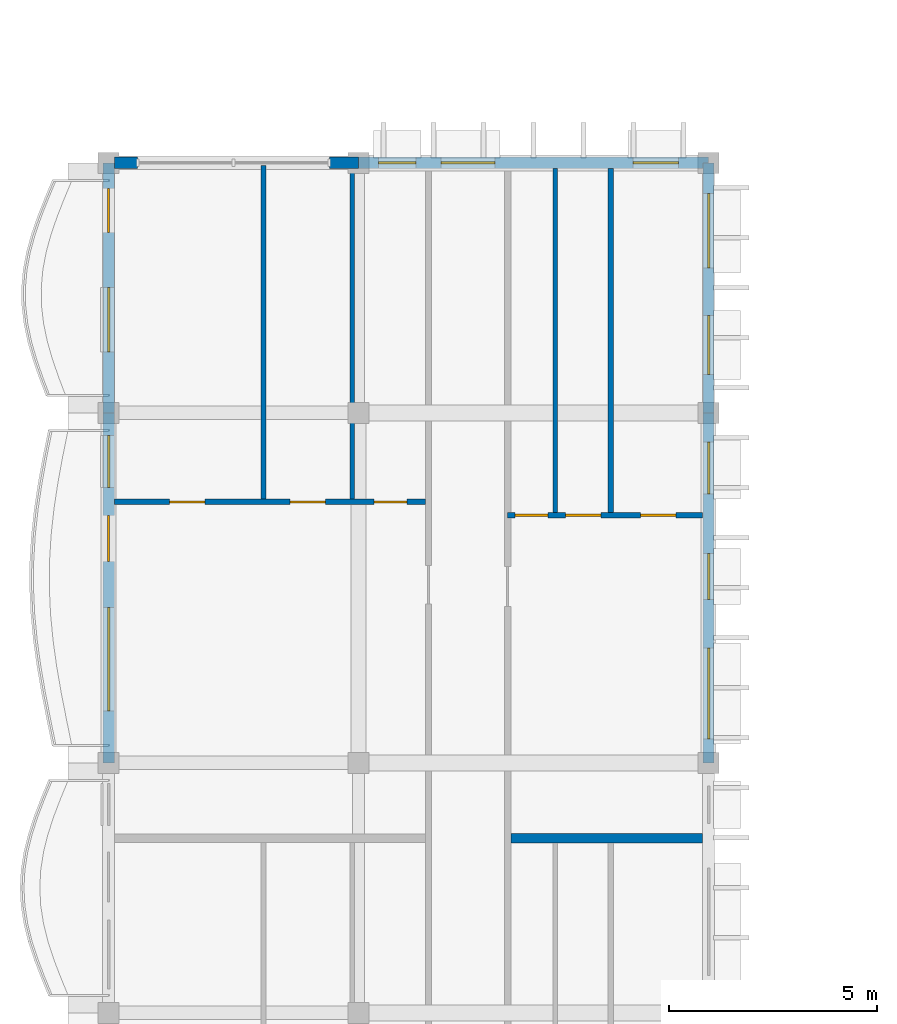
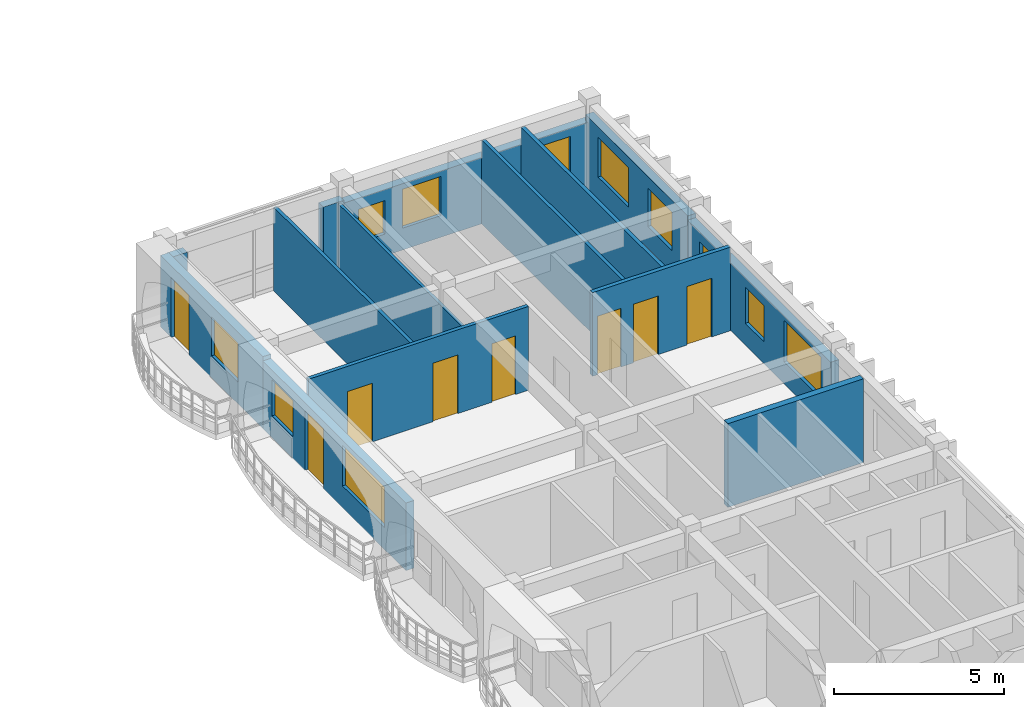
# One storey, part 27 of 68: 14 walls, 11 windows, 8 doors, 19 openings.
"""IFC4 building model written with IfcOpenShell, lengths in metres."""

from ifc_helpers import new_model, si_unit, direction, frame, frame_2d, origin, place, context, subcontext, project, spatial, rectangle, extrude, material, layer, layer_set, type_object, element, fill, save


model = new_model("IFC4")

# Units and contexts
model_context = context("Model", 3, precision=1e-05, world=origin(), true_north=direction((0.0, 1.0)))
body_context = subcontext(model_context, "Body", "Model", "MODEL_VIEW")
ifc_project = project(units=[si_unit("LENGTHUNIT", "METRE"), si_unit("AREAUNIT", "SQUARE_METRE"), si_unit("VOLUMEUNIT", "CUBIC_METRE"), si_unit("PLANEANGLEUNIT", "RADIAN"), si_unit("MASSUNIT", "GRAM", prefix="KILO"), si_unit("THERMODYNAMICTEMPERATUREUNIT", "KELVIN")], contexts=[model_context])

# Site, building, storey
site_placement = place(None, origin())
site = spatial("IfcSite", under=ifc_project, at=site_placement, CompositionType="ELEMENT")
building_placement = place(site_placement, origin())
building = spatial("IfcBuilding", under=site, at=building_placement, Name="Thalorik Housing Commons", CompositionType="ELEMENT")
storey_placement = place(building_placement, frame((0.0, 0.0, 24.60009765625)))
storey = spatial("IfcBuildingStorey", under=building, at=storey_placement, Name="L07", CompositionType="ELEMENT", Elevation=24.60009765625)

# Wall, openings, windows
ifc_material_1 = material(Name="White precast concrete C40/50", Category="concrete")
ifc_layer_1 = layer(ifc_material_1, 0.27490234375, Name="White precast concrete C40/50", Category="concrete")
ifc_layer_set_1 = layer_set([ifc_layer_1], Name="White precast concrete C40/50")
wall_type_1 = type_object("IfcWallType", Name="ARC-WAL-EXT-275", PredefinedType="STANDARD", material=ifc_layer_set_1)
wall_1_placement = place(storey_placement, frame((22.800048828125, 43.199951171875, 0.0), z_axis=(0.0, 0.0, 1.0), x_axis=(0.0, 1.0, 0.0)))
wall_1 = element("IfcWall", 1, at=wall_1_placement, inside=storey, type_object=wall_type_1, Name="L07 Exterior Wall WAL-EXT-L07-C-1020", PredefinedType="STANDARD", context=body_context, shape_type="SweptSolid", body=[
    extrude(rectangle(XDim=8.400146484375, YDim=0.27490234375, at=frame_2d((4.2001953125, 0.0))), origin(), (0.0, 0.0, 1.0), 2.4248046875),
])
opening_1_placement = place(wall_1_placement, frame((0.572998046875, 0.0, 0.780029296875)))
opening_1 = element("IfcOpeningElement", 2, at=opening_1_placement, cuts=wall_1, Name="Opening W-65", PredefinedType="OPENING", context=body_context, shape_type="SweptSolid", body=[
    extrude(rectangle(XDim=2.179931640625, YDim=1.47998046875, at=frame_2d((1.08984375, 0.739990234375))), frame((0.0, 0.1474609375, 0.0), z_axis=(0.0, -1.0, 0.0), x_axis=(1.0, 0.0, 0.0)), (0.0, 0.0, 1.0), 0.294921875),
])
opening_2_placement = place(wall_1_placement, frame((3.9189453125, 0.0, 0.780029296875)))
opening_2 = element("IfcOpeningElement", 3, at=opening_2_placement, cuts=wall_1, Name="Opening W-03", PredefinedType="OPENING", context=body_context, shape_type="SweptSolid", body=[
    extrude(rectangle(XDim=1.10009765625, YDim=1.300048828125, at=frame_2d((0.550048828125, 0.64990234375))), frame((0.0, 0.1474609375, 0.0), z_axis=(0.0, -1.0, 0.0), x_axis=(1.0, 0.0, 0.0)), (0.0, 0.0, 1.0), 0.294921875),
])
opening_3_placement = place(wall_1_placement, frame((6.450927734375, 0.0, 0.780029296875)))
opening_3 = element("IfcOpeningElement", 4, at=opening_3_placement, cuts=wall_1, Name="Opening W-46", PredefinedType="OPENING", context=body_context, shape_type="SweptSolid", body=[
    extrude(rectangle(XDim=1.25, YDim=1.300048828125, at=frame_2d((0.625, 0.64990234375))), frame((0.0, 0.1474609375, 0.0), z_axis=(0.0, -1.0, 0.0), x_axis=(1.0, 0.0, 0.0)), (0.0, 0.0, 1.0), 0.294921875),
])
ifc_material_2 = material(Name="Anodised aluminium and solar-control low-E glass", Category="aluminium")
window_type_1 = type_object("IfcWindowType", Name="ARC-WIN-03", PartitioningType="SINGLE_PANEL", PredefinedType="WINDOW", material=ifc_material_2)
window_1_placement = place(opening_2_placement, origin())
window_1 = element("IfcWindow", 5, at=window_1_placement, inside=storey, type_object=window_type_1, Name="L07 Facade Window 1886", OverallHeight=1.300048828125, OverallWidth=1.10009765625, PartitioningType="SINGLE_PANEL", PredefinedType="WINDOW", context=body_context, shape_type="SweptSolid", body=[
    extrude(rectangle(XDim=1.10009765625, YDim=1.300048828125, at=frame_2d((0.550048828125, 0.64990234375))), frame((0.0, 0.030029296875, 0.0), z_axis=(0.0, -1.0, 0.0), x_axis=(1.0, 0.0, 0.0)), (0.0, 0.0, 1.0), 0.06005859375),
])
fill(opening_2, window_1)
window_type_2 = type_object("IfcWindowType", Name="ARC-WIN-46", PartitioningType="SINGLE_PANEL", PredefinedType="WINDOW", material=ifc_material_2)
window_2_placement = place(opening_3_placement, origin())
window_2 = element("IfcWindow", 6, at=window_2_placement, inside=storey, type_object=window_type_2, Name="L07 Facade Window 1887", OverallHeight=1.300048828125, OverallWidth=1.25, PartitioningType="SINGLE_PANEL", PredefinedType="WINDOW", context=body_context, shape_type="SweptSolid", body=[
    extrude(rectangle(XDim=1.25, YDim=1.300048828125, at=frame_2d((0.625, 0.64990234375))), frame((0.0, 0.030029296875, 0.0), z_axis=(0.0, -1.0, 0.0), x_axis=(1.0, 0.0, 0.0)), (0.0, 0.0, 1.0), 0.06005859375),
])
fill(opening_3, window_2)
window_type_3 = type_object("IfcWindowType", Name="ARC-WIN-65", PartitioningType="DOUBLE_PANEL_VERTICAL", PredefinedType="WINDOW", material=ifc_material_2)
window_3_placement = place(opening_1_placement, origin())
window_3 = element("IfcWindow", 7, at=window_3_placement, inside=storey, type_object=window_type_3, Name="L07 Facade Window 1885", OverallHeight=1.47998046875, OverallWidth=2.179931640625, PartitioningType="DOUBLE_PANEL_VERTICAL", PredefinedType="WINDOW", context=body_context, shape_type="SweptSolid", body=[
    extrude(rectangle(XDim=2.179931640625, YDim=1.47998046875, at=frame_2d((1.08984375, 0.739990234375))), frame((0.0, 0.030029296875, 0.0), z_axis=(0.0, -1.0, 0.0), x_axis=(1.0, 0.0, 0.0)), (0.0, 0.0, 1.0), 0.06005859375),
])
fill(opening_1, window_3)

wall_2_placement = place(storey_placement, frame((22.800048828125, 51.60009765625, 0.0), z_axis=(0.0, 0.0, 1.0), x_axis=(0.0, 1.0, 0.0)))
wall_2 = element("IfcWall", 8, at=wall_2_placement, inside=storey, type_object=wall_type_1, Name="L07 Exterior Wall WAL-EXT-L07-C-1021", PredefinedType="STANDARD", context=body_context, shape_type="SweptSolid", body=[
    extrude(rectangle(XDim=6.0, YDim=0.27490234375, at=frame_2d((3.0, 0.0))), origin(), (0.0, 0.0, 1.0), 2.574951171875),
])
opening_4_placement = place(wall_2_placement, frame((0.919921875, 0.0, 0.780029296875)))
opening_4 = element("IfcOpeningElement", 9, at=opening_4_placement, cuts=wall_2, Name="Opening W-50", PredefinedType="OPENING", context=body_context, shape_type="SweptSolid", body=[
    extrude(rectangle(XDim=1.419921875, YDim=1.3798828125, at=frame_2d((0.7099609375, 0.68994140625))), frame((0.0, 0.1474609375, 0.0), z_axis=(0.0, -1.0, 0.0), x_axis=(1.0, 0.0, 0.0)), (0.0, 0.0, 1.0), 0.294921875),
])
opening_5_placement = place(wall_2_placement, frame((3.47998046875, 0.0, 0.780029296875)))
opening_5 = element("IfcOpeningElement", 10, at=opening_5_placement, cuts=wall_2, Name="Opening W-57", PredefinedType="OPENING", context=body_context, shape_type="SweptSolid", body=[
    extrude(rectangle(XDim=1.780029296875, YDim=1.419921875, at=frame_2d((0.89013671875, 0.7099609375))), frame((0.0, 0.1474609375, 0.0), z_axis=(0.0, -1.0, 0.0), x_axis=(1.0, 0.0, 0.0)), (0.0, 0.0, 1.0), 0.294921875),
])
window_type_4 = type_object("IfcWindowType", Name="ARC-WIN-50", PartitioningType="SINGLE_PANEL", PredefinedType="WINDOW", material=ifc_material_2)
window_4_placement = place(opening_4_placement, origin())
window_4 = element("IfcWindow", 11, at=window_4_placement, inside=storey, type_object=window_type_4, Name="L07 Facade Window 1888", OverallHeight=1.3798828125, OverallWidth=1.419921875, PartitioningType="SINGLE_PANEL", PredefinedType="WINDOW", context=body_context, shape_type="SweptSolid", body=[
    extrude(rectangle(XDim=1.419921875, YDim=1.3798828125, at=frame_2d((0.7099609375, 0.68994140625))), frame((0.0, 0.030029296875, 0.0), z_axis=(0.0, -1.0, 0.0), x_axis=(1.0, 0.0, 0.0)), (0.0, 0.0, 1.0), 0.06005859375),
])
fill(opening_4, window_4)
window_type_5 = type_object("IfcWindowType", Name="ARC-WIN-57", PartitioningType="DOUBLE_PANEL_VERTICAL", PredefinedType="WINDOW", material=ifc_material_2)
window_5_placement = place(opening_5_placement, origin())
window_5 = element("IfcWindow", 12, at=window_5_placement, inside=storey, type_object=window_type_5, Name="L07 Facade Window 1889", OverallHeight=1.419921875, OverallWidth=1.780029296875, PartitioningType="DOUBLE_PANEL_VERTICAL", PredefinedType="WINDOW", context=body_context, shape_type="SweptSolid", body=[
    extrude(rectangle(XDim=1.780029296875, YDim=1.419921875, at=frame_2d((0.89013671875, 0.7099609375))), frame((0.0, 0.030029296875, 0.0), z_axis=(0.0, -1.0, 0.0), x_axis=(1.0, 0.0, 0.0)), (0.0, 0.0, 1.0), 0.06005859375),
])
fill(opening_5, window_5)

wall_3_placement = place(storey_placement, frame((22.800048828125, 57.60009765625, 0.0), z_axis=(0.0, 0.0, 1.0), x_axis=(-1.0, 0.0, 0.0)))
wall_3 = element("IfcWall", 13, at=wall_3_placement, inside=storey, type_object=wall_type_1, Name="L07 Exterior Wall WAL-EXT-L07-C-1022", PredefinedType="STANDARD", context=body_context, shape_type="SweptSolid", body=[
    extrude(rectangle(XDim=8.400146484375, YDim=0.27490234375, at=frame_2d((4.2001953125, 0.0))), origin(), (0.0, 0.0, 1.0), 2.375),
])
opening_6_placement = place(wall_3_placement, frame((0.71728515625, 0.0, 0.780029296875)))
opening_6 = element("IfcOpeningElement", 14, at=opening_6_placement, cuts=wall_3, Name="Opening W-03", PredefinedType="OPENING", context=body_context, shape_type="SweptSolid", body=[
    extrude(rectangle(XDim=1.10009765625, YDim=1.300048828125, at=frame_2d((0.550048828125, 0.64990234375))), frame((0.0, 0.1474609375, 0.0), z_axis=(0.0, -1.0, 0.0), x_axis=(1.0, 0.0, 0.0)), (0.0, 0.0, 1.0), 0.294921875),
])
opening_7_placement = place(wall_3_placement, frame((5.1201171875, 0.0, 0.780029296875)))
opening_7 = element("IfcOpeningElement", 15, at=opening_7_placement, cuts=wall_3, Name="Opening W-06", PredefinedType="OPENING", context=body_context, shape_type="SweptSolid", body=[
    extrude(rectangle(XDim=1.300048828125, YDim=1.39990234375, at=frame_2d((0.64990234375, 0.699951171875))), frame((0.0, 0.1474609375, 0.0), z_axis=(0.0, -1.0, 0.0), x_axis=(1.0, 0.0, 0.0)), (0.0, 0.0, 1.0), 0.294921875),
])
opening_8_placement = place(wall_3_placement, frame((7.014892578125, 0.0, 0.780029296875)))
opening_8 = element("IfcOpeningElement", 16, at=opening_8_placement, cuts=wall_3, Name="Opening W-01", PredefinedType="OPENING", context=body_context, shape_type="SweptSolid", body=[
    extrude(rectangle(XDim=0.89990234375, YDim=1.199951171875, at=frame_2d((0.449951171875, 0.60009765625))), frame((0.0, 0.1474609375, 0.0), z_axis=(0.0, -1.0, 0.0), x_axis=(1.0, 0.0, 0.0)), (0.0, 0.0, 1.0), 0.294921875),
])
window_type_6 = type_object("IfcWindowType", Name="ARC-WIN-01", PartitioningType="SINGLE_PANEL", PredefinedType="WINDOW", material=ifc_material_2)
window_6_placement = place(opening_8_placement, origin())
window_6 = element("IfcWindow", 17, at=window_6_placement, inside=storey, type_object=window_type_6, Name="L07 Facade Window 1892", OverallHeight=1.199951171875, OverallWidth=0.89990234375, PartitioningType="SINGLE_PANEL", PredefinedType="WINDOW", context=body_context, shape_type="SweptSolid", body=[
    extrude(rectangle(XDim=0.89990234375, YDim=1.199951171875, at=frame_2d((0.449951171875, 0.60009765625))), frame((0.0, 0.030029296875, 0.0), z_axis=(0.0, -1.0, 0.0), x_axis=(1.0, 0.0, 0.0)), (0.0, 0.0, 1.0), 0.06005859375),
])
fill(opening_8, window_6)
window_7_placement = place(opening_6_placement, origin())
window_7 = element("IfcWindow", 18, at=window_7_placement, inside=storey, type_object=window_type_1, Name="L07 Facade Window 1890", OverallHeight=1.300048828125, OverallWidth=1.10009765625, PartitioningType="SINGLE_PANEL", PredefinedType="WINDOW", context=body_context, shape_type="SweptSolid", body=[
    extrude(rectangle(XDim=1.10009765625, YDim=1.300048828125, at=frame_2d((0.550048828125, 0.64990234375))), frame((0.0, 0.030029296875, 0.0), z_axis=(0.0, -1.0, 0.0), x_axis=(1.0, 0.0, 0.0)), (0.0, 0.0, 1.0), 0.06005859375),
])
fill(opening_6, window_7)
window_type_7 = type_object("IfcWindowType", Name="ARC-WIN-06", PartitioningType="SINGLE_PANEL", PredefinedType="WINDOW", material=ifc_material_2)
window_8_placement = place(opening_7_placement, origin())
window_8 = element("IfcWindow", 19, at=window_8_placement, inside=storey, type_object=window_type_7, Name="L07 Facade Window 1891", OverallHeight=1.39990234375, OverallWidth=1.300048828125, PartitioningType="SINGLE_PANEL", PredefinedType="WINDOW", context=body_context, shape_type="SweptSolid", body=[
    extrude(rectangle(XDim=1.300048828125, YDim=1.39990234375, at=frame_2d((0.64990234375, 0.699951171875))), frame((0.0, 0.030029296875, 0.0), z_axis=(0.0, -1.0, 0.0), x_axis=(1.0, 0.0, 0.0)), (0.0, 0.0, 1.0), 0.06005859375),
])
fill(opening_7, window_8)

# Walls
wall_4_placement = place(storey_placement, frame((14.39990234375, 57.60009765625, 0.0), z_axis=(0.0, 0.0, 1.0), x_axis=(-1.0, 0.0, 0.0)))
element("IfcWall", 20, at=wall_4_placement, inside=storey, type_object=wall_type_1, Name="L07 Exterior Wall WAL-PIERL-L07-C-1023", PredefinedType="STANDARD", context=body_context, shape_type="SweptSolid", body=[
    extrude(rectangle(XDim=0.699951171875, YDim=0.27490234375, at=frame_2d((0.35009765625, 0.0))), origin(), (0.0, 0.0, 1.0), 2.474853515625),
])
wall_5_placement = place(storey_placement, frame((9.10009765625, 57.60009765625, 0.0), z_axis=(0.0, 0.0, 1.0), x_axis=(-1.0, 0.0, 0.0)))
element("IfcWall", 21, at=wall_5_placement, inside=storey, type_object=wall_type_1, Name="L07 Exterior Wall WAL-PIERR-L07-C-1023", PredefinedType="STANDARD", context=body_context, shape_type="SweptSolid", body=[
    extrude(rectangle(XDim=0.560546875, YDim=0.27490234375, at=frame_2d((0.2802734375, 0.0))), origin(), (0.0, 0.0, 1.0), 2.474853515625),
])

# Wall, openings, door, window
wall_6_placement = place(storey_placement, frame((8.39990234375, 57.60009765625, 0.0), z_axis=(0.0, 0.0, 1.0), x_axis=(0.0, -1.0, 0.0)))
wall_6 = element("IfcWall", 22, at=wall_6_placement, inside=storey, type_object=wall_type_1, Name="L07 Exterior Wall WAL-EXT-L07-C-1024", PredefinedType="STANDARD", context=body_context, shape_type="SweptSolid", body=[
    extrude(rectangle(XDim=6.0, YDim=0.27490234375, at=frame_2d((3.0, 0.0))), origin(), (0.0, 0.0, 1.0), 2.574951171875),
])
opening_9_placement = place(wall_6_placement, frame((0.6201171875, 0.0, 0.0)))
opening_9 = element("IfcOpeningElement", 23, at=opening_9_placement, cuts=wall_6, Name="Opening ED-0338", PredefinedType="OPENING", context=body_context, shape_type="SweptSolid", body=[
    extrude(rectangle(XDim=1.050048828125, YDim=2.14990234375, at=frame_2d((0.52490234375, 1.074951171875))), frame((0.0, 0.1474609375, 0.0), z_axis=(0.0, -1.0, 0.0), x_axis=(1.0, 0.0, 0.0)), (0.0, 0.0, 1.0), 0.294921875),
])
opening_10_placement = place(wall_6_placement, frame((2.989990234375, 0.0, 0.780029296875)))
opening_10 = element("IfcOpeningElement", 24, at=opening_10_placement, cuts=wall_6, Name="Opening W-12", PredefinedType="OPENING", context=body_context, shape_type="SweptSolid", body=[
    extrude(rectangle(XDim=1.550048828125, YDim=1.39990234375, at=frame_2d((0.77490234375, 0.699951171875))), frame((0.0, 0.1474609375, 0.0), z_axis=(0.0, -1.0, 0.0), x_axis=(1.0, 0.0, 0.0)), (0.0, 0.0, 1.0), 0.294921875),
])
ifc_material_3 = material(Name="Anodised aluminium and laminated safety glass", Category="aluminium")
door_type_1 = type_object("IfcDoorType", Name="ARC-DR-BAL-1050", OperationType="NOTDEFINED", PredefinedType="DOOR", material=ifc_material_3)
door_1_placement = place(opening_9_placement, frame((1.050048828125, 0.0, 0.0), z_axis=(0.0, 0.0, 1.0), x_axis=(-1.0, 0.0, 0.0)))
door_1 = element("IfcDoor", 25, at=door_1_placement, inside=storey, type_object=door_type_1, Name="L07 Block C Balcony Glazed Door", OperationType="SINGLE_SWING_LEFT", OverallHeight=2.14990234375, OverallWidth=1.050048828125, PredefinedType="DOOR", context=body_context, shape_type="SweptSolid", body=[
    extrude(rectangle(XDim=1.050048828125, YDim=2.14990234375, at=frame_2d((0.52490234375, 1.074951171875))), frame((0.0, 0.02490234375, 0.0), z_axis=(0.0, -1.0, 0.0), x_axis=(1.0, 0.0, 0.0)), (0.0, 0.0, 1.0), 0.050048828125),
])
fill(opening_9, door_1)
window_type_8 = type_object("IfcWindowType", Name="ARC-WIN-12", PartitioningType="SINGLE_PANEL", PredefinedType="WINDOW", material=ifc_material_2)
window_9_placement = place(opening_10_placement, origin())
window_9 = element("IfcWindow", 26, at=window_9_placement, inside=storey, type_object=window_type_8, Name="L07 Facade Window 1893", OverallHeight=1.39990234375, OverallWidth=1.550048828125, PartitioningType="SINGLE_PANEL", PredefinedType="WINDOW", context=body_context, shape_type="SweptSolid", body=[
    extrude(rectangle(XDim=1.550048828125, YDim=1.39990234375, at=frame_2d((0.77490234375, 0.699951171875))), frame((0.0, 0.030029296875, 0.0), z_axis=(0.0, -1.0, 0.0), x_axis=(1.0, 0.0, 0.0)), (0.0, 0.0, 1.0), 0.06005859375),
])
fill(opening_10, window_9)

# Wall, openings, door, windows
wall_7_placement = place(storey_placement, frame((8.39990234375, 51.60009765625, 0.0), z_axis=(0.0, 0.0, 1.0), x_axis=(0.0, -1.0, 0.0)))
wall_7 = element("IfcWall", 27, at=wall_7_placement, inside=storey, type_object=wall_type_1, Name="L07 Exterior Wall WAL-EXT-L07-C-1025", PredefinedType="STANDARD", context=body_context, shape_type="SweptSolid", body=[
    extrude(rectangle(XDim=8.400146484375, YDim=0.27490234375, at=frame_2d((4.2001953125, 0.0))), origin(), (0.0, 0.0, 1.0), 2.4248046875),
])
opening_11_placement = place(wall_7_placement, frame((2.465087890625, 0.0, 0.0)))
opening_11 = element("IfcOpeningElement", 28, at=opening_11_placement, cuts=wall_7, Name="Opening ED-0339", PredefinedType="OPENING", context=body_context, shape_type="SweptSolid", body=[
    extrude(rectangle(XDim=1.10009765625, YDim=2.14990234375, at=frame_2d((0.550048828125, 1.074951171875))), frame((0.0, 0.1474609375, 0.0), z_axis=(0.0, -1.0, 0.0), x_axis=(1.0, 0.0, 0.0)), (0.0, 0.0, 1.0), 0.294921875),
])
opening_12_placement = place(wall_7_placement, frame((0.53759765625, 0.0, 0.780029296875)))
opening_12 = element("IfcOpeningElement", 29, at=opening_12_placement, cuts=wall_7, Name="Opening W-46", PredefinedType="OPENING", context=body_context, shape_type="SweptSolid", body=[
    extrude(rectangle(XDim=1.25, YDim=1.300048828125, at=frame_2d((0.625, 0.64990234375))), frame((0.0, 0.1474609375, 0.0), z_axis=(0.0, -1.0, 0.0), x_axis=(1.0, 0.0, 0.0)), (0.0, 0.0, 1.0), 0.294921875),
])
opening_13_placement = place(wall_7_placement, frame((4.672607421875, 0.0, 0.780029296875)))
opening_13 = element("IfcOpeningElement", 30, at=opening_13_placement, cuts=wall_7, Name="Opening W-71", PredefinedType="OPENING", context=body_context, shape_type="SweptSolid", body=[
    extrude(rectangle(XDim=2.47998046875, YDim=1.4599609375, at=frame_2d((1.239990234375, 0.72998046875))), frame((0.0, 0.1474609375, 0.0), z_axis=(0.0, -1.0, 0.0), x_axis=(1.0, 0.0, 0.0)), (0.0, 0.0, 1.0), 0.294921875),
])
door_type_2 = type_object("IfcDoorType", Name="ARC-DR-BAL-1100", OperationType="NOTDEFINED", PredefinedType="DOOR", material=ifc_material_3)
door_2_placement = place(opening_11_placement, frame((1.10009765625, 0.0, 0.0), z_axis=(0.0, 0.0, 1.0), x_axis=(-1.0, 0.0, 0.0)))
door_2 = element("IfcDoor", 31, at=door_2_placement, inside=storey, type_object=door_type_2, Name="L07 Block C Balcony Glazed Door", OperationType="SINGLE_SWING_RIGHT", OverallHeight=2.14990234375, OverallWidth=1.10009765625, PredefinedType="DOOR", context=body_context, shape_type="SweptSolid", body=[
    extrude(rectangle(XDim=1.10009765625, YDim=2.14990234375, at=frame_2d((0.550048828125, 1.074951171875))), frame((0.0, 0.02490234375, 0.0), z_axis=(0.0, -1.0, 0.0), x_axis=(1.0, 0.0, 0.0)), (0.0, 0.0, 1.0), 0.050048828125),
])
fill(opening_11, door_2)
window_10_placement = place(opening_12_placement, origin())
window_10 = element("IfcWindow", 32, at=window_10_placement, inside=storey, type_object=window_type_2, Name="L07 Facade Window 1894", OverallHeight=1.300048828125, OverallWidth=1.25, PartitioningType="SINGLE_PANEL", PredefinedType="WINDOW", context=body_context, shape_type="SweptSolid", body=[
    extrude(rectangle(XDim=1.25, YDim=1.300048828125, at=frame_2d((0.625, 0.64990234375))), frame((0.0, 0.030029296875, 0.0), z_axis=(0.0, -1.0, 0.0), x_axis=(1.0, 0.0, 0.0)), (0.0, 0.0, 1.0), 0.06005859375),
])
fill(opening_12, window_10)
window_type_9 = type_object("IfcWindowType", Name="ARC-WIN-71", PartitioningType="DOUBLE_PANEL_VERTICAL", PredefinedType="WINDOW", material=ifc_material_2)
window_11_placement = place(opening_13_placement, origin())
window_11 = element("IfcWindow", 33, at=window_11_placement, inside=storey, type_object=window_type_9, Name="L07 Facade Window 1895", OverallHeight=1.4599609375, OverallWidth=2.47998046875, PartitioningType="DOUBLE_PANEL_VERTICAL", PredefinedType="WINDOW", context=body_context, shape_type="SweptSolid", body=[
    extrude(rectangle(XDim=2.47998046875, YDim=1.4599609375, at=frame_2d((1.239990234375, 0.72998046875))), frame((0.0, 0.030029296875, 0.0), z_axis=(0.0, -1.0, 0.0), x_axis=(1.0, 0.0, 0.0)), (0.0, 0.0, 1.0), 0.06005859375),
])
fill(opening_13, window_11)

# Walls
ifc_material_4 = material(Name="Gypsum light stud partition", Category="masonry")
ifc_layer_2 = layer(ifc_material_4, 0.10009765625, Name="Gypsum light stud partition", Category="masonry")
ifc_layer_set_2 = layer_set([ifc_layer_2], Name="Gypsum light stud partition")
wall_type_2 = type_object("IfcWallType", Name="ARC-WAL-PART-100", PredefinedType="PARTITIONING", material=ifc_layer_set_2)
wall_8_placement = place(storey_placement, frame((14.251220703125, 49.529541015625, 0.0), z_axis=(0.0, 0.0, 1.0), x_axis=(0.0, 1.0, 0.0)))
element("IfcWall", 34, at=wall_8_placement, inside=storey, type_object=wall_type_2, Name="L07 Unit 3 Wet Wall", PredefinedType="PARTITIONING", context=body_context, shape_type="SweptSolid", body=[
    extrude(rectangle(XDim=7.930908203125, YDim=0.10009765625, at=frame_2d((3.96533203125, 0.0))), origin(), (0.0, 0.0, 1.0), 2.4248046875),
])
ifc_material_5 = material(Name="Gypsum moisture-resistant partition", Category="masonry")
ifc_layer_3 = layer(ifc_material_5, 0.114990234375, Name="Gypsum moisture-resistant partition", Category="masonry")
ifc_layer_set_3 = layer_set([ifc_layer_3], Name="Gypsum moisture-resistant partition")
wall_type_3 = type_object("IfcWallType", Name="ARC-WAL-PART-115", PredefinedType="PARTITIONING", material=ifc_layer_set_3)
wall_9_placement = place(storey_placement, frame((12.11767578125, 49.529541015625, 0.0), z_axis=(0.0, 0.0, 1.0), x_axis=(0.0, 1.0, 0.0)))
element("IfcWall", 35, at=wall_9_placement, inside=storey, type_object=wall_type_3, Name="L07 Unit 3 Bedroom Partition", PredefinedType="PARTITIONING", context=body_context, shape_type="SweptSolid", body=[
    extrude(rectangle(XDim=8.010498046875, YDim=0.114990234375, at=frame_2d((4.00537109375, 0.0))), origin(), (0.0, 0.0, 1.0), 3.0),
])
wall_10_placement = place(storey_placement, frame((19.122314453125, 49.214111328125, 0.0), z_axis=(0.0, 0.0, 1.0), x_axis=(0.0, 1.0, 0.0)))
element("IfcWall", 36, at=wall_10_placement, inside=storey, type_object=wall_type_3, Name="L07 Unit 3B Wet Wall", PredefinedType="PARTITIONING", context=body_context, shape_type="SweptSolid", body=[
    extrude(rectangle(XDim=8.246337890625, YDim=0.114990234375, at=frame_2d((4.123046875, 0.0))), origin(), (0.0, 0.0, 1.0), 3.0),
])

# Wall, openings, doors
ifc_material_6 = material(Name="Gypsum acoustic stud partition", Category="masonry")
ifc_layer_4 = layer(ifc_material_6, 0.125, Name="Gypsum acoustic stud partition", Category="masonry")
ifc_layer_set_4 = layer_set([ifc_layer_4], Name="Gypsum acoustic stud partition")
wall_type_4 = type_object("IfcWallType", Name="ARC-WAL-PART-125", PredefinedType="PARTITIONING", material=ifc_layer_set_4)
wall_11_placement = place(storey_placement, frame((8.53955078125, 49.465087890625, 0.0), z_axis=(0.0, 0.0, 1.0), x_axis=(1.0, 0.0, 0.0)))
wall_11 = element("IfcWall", 37, at=wall_11_placement, inside=storey, type_object=wall_type_4, Name="L07 Unit 3 Spine Partition", PredefinedType="PARTITIONING", context=body_context, shape_type="SweptSolid", body=[
    extrude(rectangle(XDim=7.46337890625, YDim=0.125, at=frame_2d((3.731689453125, 0.0))), origin(), (0.0, 0.0, 1.0), 3.0),
])
opening_14_placement = place(wall_11_placement, frame((1.32421875, 0.0, 0.0)))
opening_14 = element("IfcOpeningElement", 38, at=opening_14_placement, cuts=wall_11, Name="Opening ID-1854", PredefinedType="OPENING", context=body_context, shape_type="SweptSolid", body=[
    extrude(rectangle(XDim=0.85009765625, YDim=2.10009765625, at=frame_2d((0.425048828125, 1.050048828125))), frame((0.0, 0.072509765625, 0.0), z_axis=(0.0, -1.0, 0.0), x_axis=(1.0, 0.0, 0.0)), (0.0, 0.0, 1.0), 0.14501953125),
])
opening_15_placement = place(wall_11_placement, frame((4.219970703125, 0.0, 0.0)))
opening_15 = element("IfcOpeningElement", 39, at=opening_15_placement, cuts=wall_11, Name="Opening ID-1855", PredefinedType="OPENING", context=body_context, shape_type="SweptSolid", body=[
    extrude(rectangle(XDim=0.85009765625, YDim=2.10009765625, at=frame_2d((0.425048828125, 1.050048828125))), frame((0.0, 0.072509765625, 0.0), z_axis=(0.0, -1.0, 0.0), x_axis=(1.0, 0.0, 0.0)), (0.0, 0.0, 1.0), 0.14501953125),
])
opening_16_placement = place(wall_11_placement, frame((6.22607421875, 0.0, 0.0)))
opening_16 = element("IfcOpeningElement", 40, at=opening_16_placement, cuts=wall_11, Name="Opening ID-1856", PredefinedType="OPENING", context=body_context, shape_type="SweptSolid", body=[
    extrude(rectangle(XDim=0.800048828125, YDim=2.10009765625, at=frame_2d((0.39990234375, 1.050048828125))), frame((0.0, 0.072509765625, 0.0), z_axis=(0.0, -1.0, 0.0), x_axis=(1.0, 0.0, 0.0)), (0.0, 0.0, 1.0), 0.14501953125),
])
ifc_material_7 = material(Name="Moisture-resistant timber", Category="wood")
door_type_3 = type_object("IfcDoorType", Name="ARC-DR-INT-800", OperationType="NOTDEFINED", PredefinedType="DOOR", material=ifc_material_7)
door_3_placement = place(opening_16_placement, origin())
door_3 = element("IfcDoor", 41, at=door_3_placement, inside=storey, type_object=door_type_3, Name="L07 Flat Bathroom Door", OperationType="SINGLE_SWING_LEFT", OverallHeight=2.10009765625, OverallWidth=0.800048828125, PredefinedType="DOOR", context=body_context, shape_type="SweptSolid", body=[
    extrude(rectangle(XDim=0.800048828125, YDim=2.10009765625, at=frame_2d((0.39990234375, 1.050048828125))), frame((0.0, 0.02490234375, 0.0), z_axis=(0.0, -1.0, 0.0), x_axis=(1.0, 0.0, 0.0)), (0.0, 0.0, 1.0), 0.050048828125),
])
fill(opening_16, door_3)
ifc_material_8 = material(Name="Engineered oak timber", Category="wood")
door_type_4 = type_object("IfcDoorType", Name="ARC-DR-INT-850", OperationType="NOTDEFINED", PredefinedType="DOOR", material=ifc_material_8)
door_4_placement = place(opening_14_placement, origin())
door_4 = element("IfcDoor", 42, at=door_4_placement, inside=storey, type_object=door_type_4, Name="L07 Single Bedroom Door", OperationType="SINGLE_SWING_LEFT", OverallHeight=2.10009765625, OverallWidth=0.85009765625, PredefinedType="DOOR", context=body_context, shape_type="SweptSolid", body=[
    extrude(rectangle(XDim=0.85009765625, YDim=2.10009765625, at=frame_2d((0.425048828125, 1.050048828125))), frame((0.0, 0.02490234375, 0.0), z_axis=(0.0, -1.0, 0.0), x_axis=(1.0, 0.0, 0.0)), (0.0, 0.0, 1.0), 0.050048828125),
])
fill(opening_14, door_4)
door_5_placement = place(opening_15_placement, origin())
door_5 = element("IfcDoor", 43, at=door_5_placement, inside=storey, type_object=door_type_4, Name="L07 Galley Kitchen Door", OperationType="SINGLE_SWING_RIGHT", OverallHeight=2.10009765625, OverallWidth=0.85009765625, PredefinedType="DOOR", context=body_context, shape_type="SweptSolid", body=[
    extrude(rectangle(XDim=0.85009765625, YDim=2.10009765625, at=frame_2d((0.425048828125, 1.050048828125))), frame((0.0, 0.02490234375, 0.0), z_axis=(0.0, -1.0, 0.0), x_axis=(1.0, 0.0, 0.0)), (0.0, 0.0, 1.0), 0.050048828125),
])
fill(opening_15, door_5)

# Wall
wall_12_placement = place(storey_placement, frame((20.455078125, 49.214111328125, 0.0), z_axis=(0.0, 0.0, 1.0), x_axis=(0.0, 1.0, 0.0)))
element("IfcWall", 44, at=wall_12_placement, inside=storey, type_object=wall_type_4, Name="L07 Unit 3B Bedroom Partition", PredefinedType="PARTITIONING", context=body_context, shape_type="SweptSolid", body=[
    extrude(rectangle(XDim=8.246337890625, YDim=0.125, at=frame_2d((4.123046875, 0.0))), origin(), (0.0, 0.0, 1.0), 3.0),
])

# Wall, openings, doors
ifc_material_9 = material(Name="Ceramic masonry partition wall", Category="masonry")
ifc_layer_5 = layer(ifc_material_9, 0.139892578125, Name="Ceramic masonry partition wall", Category="masonry")
ifc_layer_set_5 = layer_set([ifc_layer_5], Name="Ceramic masonry partition wall")
wall_type_5 = type_object("IfcWallType", Name="ARC-WAL-PART-140", PredefinedType="PARTITIONING", material=ifc_layer_set_5)
wall_13_placement = place(storey_placement, frame((17.97998046875, 49.14208984375, 0.0), z_axis=(0.0, 0.0, 1.0), x_axis=(1.0, 0.0, 0.0)))
wall_13 = element("IfcWall", 45, at=wall_13_placement, inside=storey, type_object=wall_type_5, Name="L07 Unit 3B Spine Partition", PredefinedType="PARTITIONING", context=body_context, shape_type="SweptSolid", body=[
    extrude(rectangle(XDim=4.680419921875, YDim=0.139892578125, at=frame_2d((2.34033203125, 0.0))), origin(), (0.0, 0.0, 1.0), 3.0),
])
opening_17_placement = place(wall_13_placement, frame((0.171142578125, 0.0, 0.0)))
opening_17 = element("IfcOpeningElement", 46, at=opening_17_placement, cuts=wall_13, Name="Opening ID-1857", PredefinedType="OPENING", context=body_context, shape_type="SweptSolid", body=[
    extrude(rectangle(XDim=0.800048828125, YDim=2.10009765625, at=frame_2d((0.39990234375, 1.050048828125))), frame((0.0, 0.080078125, 0.0), z_axis=(0.0, -1.0, 0.0), x_axis=(1.0, 0.0, 0.0)), (0.0, 0.0, 1.0), 0.159912109375),
])
opening_18_placement = place(wall_13_placement, frame((1.3837890625, 0.0, 0.0)))
opening_18 = element("IfcOpeningElement", 47, at=opening_18_placement, cuts=wall_13, Name="Opening ID-1858", PredefinedType="OPENING", context=body_context, shape_type="SweptSolid", body=[
    extrude(rectangle(XDim=0.85009765625, YDim=2.10009765625, at=frame_2d((0.425048828125, 1.050048828125))), frame((0.0, 0.080078125, 0.0), z_axis=(0.0, -1.0, 0.0), x_axis=(1.0, 0.0, 0.0)), (0.0, 0.0, 1.0), 0.159912109375),
])
opening_19_placement = place(wall_13_placement, frame((3.192626953125, 0.0, 0.0)))
opening_19 = element("IfcOpeningElement", 48, at=opening_19_placement, cuts=wall_13, Name="Opening ID-1859", PredefinedType="OPENING", context=body_context, shape_type="SweptSolid", body=[
    extrude(rectangle(XDim=0.85009765625, YDim=2.10009765625, at=frame_2d((0.425048828125, 1.050048828125))), frame((0.0, 0.080078125, 0.0), z_axis=(0.0, -1.0, 0.0), x_axis=(1.0, 0.0, 0.0)), (0.0, 0.0, 1.0), 0.159912109375),
])
door_6_placement = place(opening_17_placement, origin())
door_6 = element("IfcDoor", 49, at=door_6_placement, inside=storey, type_object=door_type_3, Name="L07 Flat Bathroom Door", OperationType="SINGLE_SWING_RIGHT", OverallHeight=2.10009765625, OverallWidth=0.800048828125, PredefinedType="DOOR", context=body_context, shape_type="SweptSolid", body=[
    extrude(rectangle(XDim=0.800048828125, YDim=2.10009765625, at=frame_2d((0.39990234375, 1.050048828125))), frame((0.0, 0.02490234375, 0.0), z_axis=(0.0, -1.0, 0.0), x_axis=(1.0, 0.0, 0.0)), (0.0, 0.0, 1.0), 0.050048828125),
])
fill(opening_17, door_6)
door_7_placement = place(opening_18_placement, origin())
door_7 = element("IfcDoor", 50, at=door_7_placement, inside=storey, type_object=door_type_4, Name="L07 Galley Kitchen Door", OperationType="SINGLE_SWING_LEFT", OverallHeight=2.10009765625, OverallWidth=0.85009765625, PredefinedType="DOOR", context=body_context, shape_type="SweptSolid", body=[
    extrude(rectangle(XDim=0.85009765625, YDim=2.10009765625, at=frame_2d((0.425048828125, 1.050048828125))), frame((0.0, 0.02490234375, 0.0), z_axis=(0.0, -1.0, 0.0), x_axis=(1.0, 0.0, 0.0)), (0.0, 0.0, 1.0), 0.050048828125),
])
fill(opening_18, door_7)
door_8_placement = place(opening_19_placement, origin())
door_8 = element("IfcDoor", 51, at=door_8_placement, inside=storey, type_object=door_type_4, Name="L07 Double Bedroom Door", OperationType="SINGLE_SWING_RIGHT", OverallHeight=2.10009765625, OverallWidth=0.85009765625, PredefinedType="DOOR", context=body_context, shape_type="SweptSolid", body=[
    extrude(rectangle(XDim=0.85009765625, YDim=2.10009765625, at=frame_2d((0.425048828125, 1.050048828125))), frame((0.0, 0.02490234375, 0.0), z_axis=(0.0, -1.0, 0.0), x_axis=(1.0, 0.0, 0.0)), (0.0, 0.0, 1.0), 0.050048828125),
])
fill(opening_19, door_8)

# Wall
ifc_material_10 = material(Name="Precast concrete C40/50 acoustic wall", Category="concrete")
ifc_layer_6 = layer(ifc_material_10, 0.219970703125, Name="Precast concrete C40/50 acoustic wall", Category="concrete")
ifc_layer_set_6 = layer_set([ifc_layer_6], Name="Precast concrete C40/50 acoustic wall")
wall_type_6 = type_object("IfcWallType", Name="ARC-WAL-PARTY-220", PredefinedType="PARTITIONING", material=ifc_layer_set_6)
wall_14_placement = place(storey_placement, frame((18.064453125, 41.389892578125, 0.0), z_axis=(0.0, 0.0, 1.0), x_axis=(1.0, 0.0, 0.0)))
element("IfcWall", 52, at=wall_14_placement, inside=storey, type_object=wall_type_6, Name="L07 Inter-Tenancy Wall 2B", PredefinedType="PARTITIONING", context=body_context, shape_type="SweptSolid", body=[
    extrude(rectangle(XDim=4.595947265625, YDim=0.219970703125, at=frame_2d((2.2978515625, 0.0))), origin(), (0.0, 0.0, 1.0), 3.0),
])

save(model, "model.ifc")
